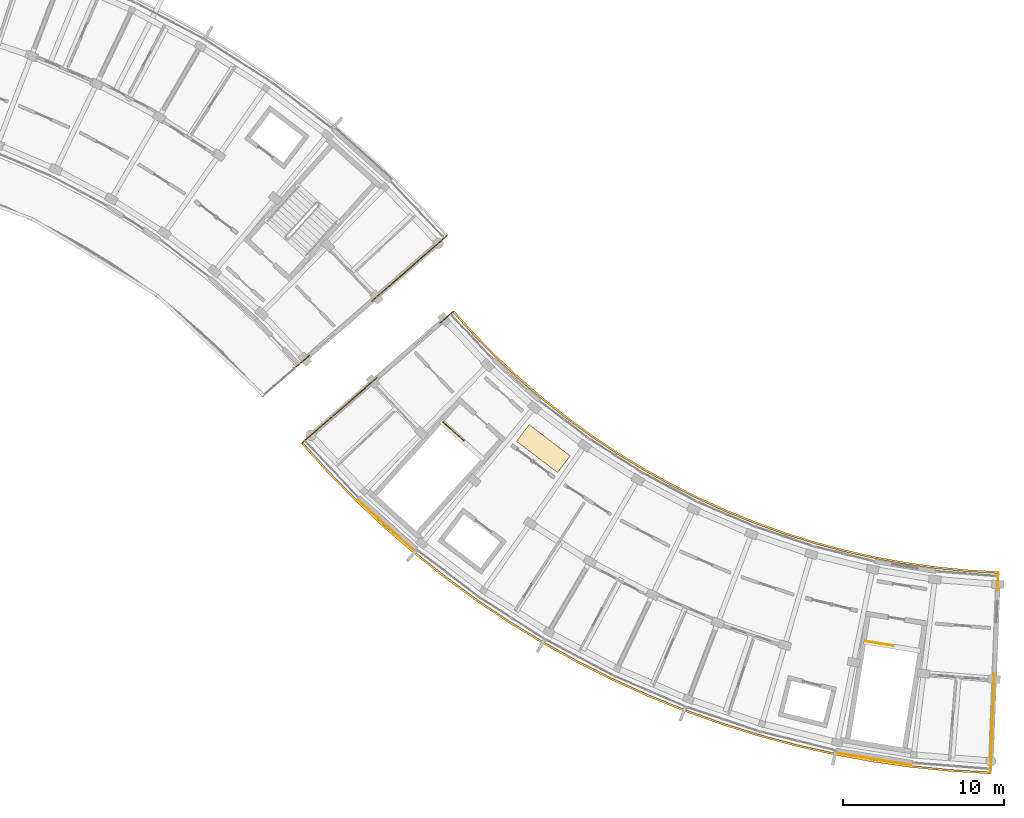
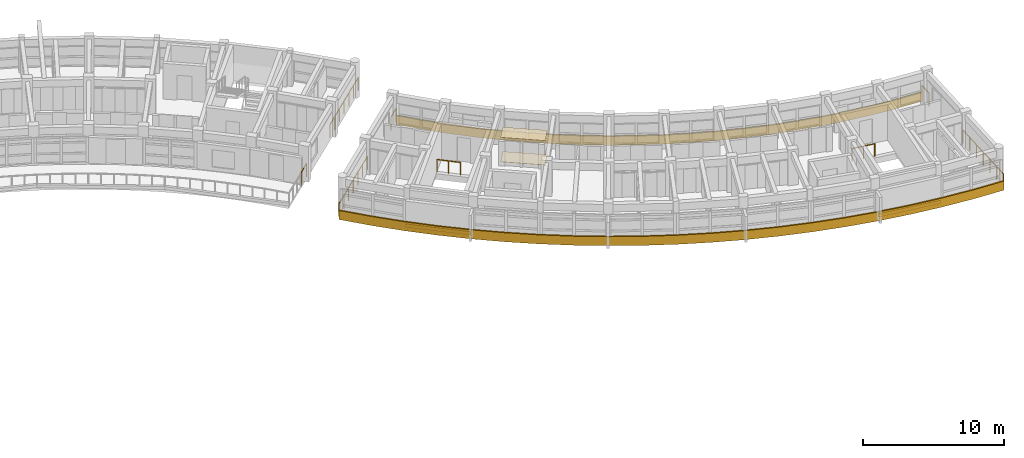
# One storey, part 35 of 38: 10 railings, 4 coverings.
"""IFC4 building model written with IfcOpenShell, lengths in metres."""

from ifc_helpers import new_model, si_unit, direction, frame, origin, origin_2d, place, context, subcontext, project, spatial, polyline, rectangle, circle, outline, extrude, material, layer, layer_set, type_object, element, save


model = new_model("IFC4")

# Units and contexts
model_context = context("Model", 3, precision=1e-05, world=origin(), true_north=direction((0.0, 1.0)))
body_context = subcontext(model_context, "Body", "Model", "MODEL_VIEW")
ifc_project = project(units=[si_unit("LENGTHUNIT", "METRE"), si_unit("AREAUNIT", "SQUARE_METRE"), si_unit("VOLUMEUNIT", "CUBIC_METRE"), si_unit("PLANEANGLEUNIT", "RADIAN"), si_unit("MASSUNIT", "GRAM", prefix="KILO")], contexts=[model_context])

# Site, building, storey
site_placement = place(None, origin())
site = spatial("IfcSite", under=ifc_project, at=site_placement, CompositionType="ELEMENT")
building_placement = place(site_placement, origin())
building = spatial("IfcBuilding", under=site, at=building_placement, Name="Zimvara Arc Housing Community", CompositionType="ELEMENT")
storey_placement = place(building_placement, frame((0.0, 0.0, 29.800048828125)))
storey = spatial("IfcBuildingStorey", under=building, at=storey_placement, Name="L09", CompositionType="ELEMENT", Elevation=29.800048828125)

# Coverings
ifc_material_1 = material(Name="Pale-Gold Anodised Aluminium Cladding", Category="aluminium")
ifc_layer_1 = layer(ifc_material_1, 0.0400390625)
ifc_layer_set_1 = layer_set([ifc_layer_1], Name="Pale-Gold Anodised Aluminium Cladding")
covering_type_1 = type_object("IfcCoveringType", Name="CLD-GOLD-01", PredefinedType="CLADDING", material=ifc_layer_set_1)
covering_1_placement = place(storey_placement, frame((116.44873046875, 51.142578125, 0.009765625), z_axis=(0.0, 0.0, 1.0), x_axis=(0.987080395872, -0.160225753504, 0.0)))
element("IfcCovering", 1, at=covering_1_placement, inside=storey, type_object=covering_type_1, Name="cld:blkC:L09:out:b8", PredefinedType="CLADDING", context=body_context, shape_type="SweptSolid", body=[
    extrude(rectangle(XDim=4.748779296875, YDim=0.0400390625, at=origin_2d()), origin(), (0.0, 0.0, 1.0), 0.300048828125),
])
ifc_material_2 = material(Name="Pale-Gold Anodised Aluminium Cladding", Category="aluminium")
ifc_layer_2 = layer(ifc_material_2, 0.044921875)
ifc_layer_set_2 = layer_set([ifc_layer_2], Name="Pale-Gold Anodised Aluminium Cladding")
covering_type_2 = type_object("IfcCoveringType", Name="CLD-GOLD-02", PredefinedType="CLADDING", material=ifc_layer_set_2)
covering_2_placement = place(storey_placement, frame((86.18896484375, 65.636474609375, 0.009765625), z_axis=(0.0, 0.0, 1.0), x_axis=(0.74337718344, -0.668872456557, 0.0)))
element("IfcCovering", 2, at=covering_2_placement, inside=storey, type_object=covering_type_2, Name="cld:blkC:L09:out:b1", PredefinedType="CLADDING", context=body_context, shape_type="SweptSolid", body=[
    extrude(rectangle(XDim=4.748779296875, YDim=0.044921875, at=origin_2d()), origin(), (0.0, 0.0, 1.0), 0.300048828125),
])
ifc_material_3 = material(Name="Perforated Acoustic Ceiling Board")
ifc_layer_3 = layer(ifc_material_3, 0.02197265625)
ifc_layer_set_3 = layer_set([ifc_layer_3], Name="Perforated Acoustic Ceiling Board")
covering_type_3 = type_object("IfcCoveringType", Name="COV-CEIL-02", PredefinedType="CEILING", material=ifc_layer_set_3)
covering_3_placement = place(storey_placement, frame((95.954833984375, 70.40087890625, 2.117919921875), z_axis=(0.0, 0.0, 1.0), x_axis=(-0.605988400266, -0.795473480855, 0.0)))
element("IfcCovering", 3, at=covering_3_placement, inside=storey, type_object=covering_type_3, Name="ceil:blkC:L09", PredefinedType="CEILING", context=body_context, shape_type="SweptSolid", body=[
    extrude(rectangle(XDim=1.300048828125, YDim=3.199951171875, at=origin_2d()), origin(), (0.0, 0.0, 1.0), 0.02197265625),
])
ifc_material_4 = material(Name="Polished Coastal Sand Terrazzo")
ifc_layer_4 = layer(ifc_material_4, 0.02392578125)
ifc_layer_set_4 = layer_set([ifc_layer_4], Name="Polished Coastal Sand Terrazzo")
covering_type_4 = type_object("IfcCoveringType", Name="COV-FLOR-02", PredefinedType="FLOORING", material=ifc_layer_set_4)
covering_4_placement = place(storey_placement, frame((95.954833984375, 70.40087890625, 0.0), z_axis=(0.0, 0.0, 1.0), x_axis=(-0.605988400266, -0.795473480855, 0.0)))
element("IfcCovering", 4, at=covering_4_placement, inside=storey, type_object=covering_type_4, Name="flor:blkC:L09", PredefinedType="FLOORING", context=body_context, shape_type="SweptSolid", body=[
    extrude(rectangle(XDim=1.300048828125, YDim=3.199951171875, at=origin_2d()), origin(), (0.0, 0.0, 1.0), 0.02392578125),
])

# Railings
ifc_material_5 = material(Name="Anodised Aluminium AW-6063", Category="aluminium")
railing_type_1 = type_object("IfcRailingType", Name="RLG-BAL-1120", PredefinedType="BALUSTRADE", material=ifc_material_5)
railing_1_placement = place(storey_placement, frame((89.745361328125, 72.041015625, 0.0)))
element("IfcRailing", 5, at=railing_1_placement, inside=storey, type_object=railing_type_1, Name="L09 ST-C1 top well guard 1", PredefinedType="BALUSTRADE", context=body_context, shape_type="SweptSolid", body=[
    extrude(circle(Radius=0.02392578125, at=origin_2d()), frame((0.0, 0.0, 1.09619140625), z_axis=(0.743449390856, -0.668792197349, 0.0), x_axis=(0.668792197349, 0.743449390856, 0.0)), (0.0, 0.0, 1.0), 1.72021484375),
    extrude(circle(Radius=0.02099609375, at=origin_2d()), origin(), (0.0, 0.0, 1.0), 1.072021484375),
    extrude(circle(Radius=0.02099609375, at=origin_2d()), frame((0.639404296875, -0.5751953125, 0.0)), (0.0, 0.0, 1.0), 1.072021484375),
    extrude(circle(Radius=0.02099609375, at=origin_2d()), frame((1.27880859375, -1.150390625, 0.0)), (0.0, 0.0, 1.0), 1.072021484375),
])
railing_2_placement = place(storey_placement, frame((115.973388671875, 58.44921875, 0.0)))
element("IfcRailing", 6, at=railing_2_placement, inside=storey, type_object=railing_type_1, Name="L09 ST-C2 top well guard 1", PredefinedType="BALUSTRADE", context=body_context, shape_type="SweptSolid", body=[
    extrude(circle(Radius=0.02392578125, at=origin_2d()), frame((0.0, 0.0, 1.09619140625), z_axis=(0.987075758678, -0.1602543186, 0.0), x_axis=(0.1602543186, 0.987075758678, 0.0)), (0.0, 0.0, 1.0), 1.719970703125),
    extrude(circle(Radius=0.02099609375, at=origin_2d()), origin(), (0.0, 0.0, 1.0), 1.072021484375),
    extrude(circle(Radius=0.02099609375, at=origin_2d()), frame((0.848876953125, -0.1376953125, 0.0)), (0.0, 0.0, 1.0), 1.072021484375),
    extrude(circle(Radius=0.02099609375, at=origin_2d()), frame((1.69775390625, -0.275634765625, 0.0)), (0.0, 0.0, 1.0), 1.072021484375),
])
ifc_material_6 = material(Name="Anodised Aluminium AW-6063", Category="aluminium")
railing_type_2 = type_object("IfcRailingType", Name="RLG-BAL-1150", PredefinedType="BALUSTRADE", material=ifc_material_6)
railing_3_placement = place(storey_placement, frame((80.622314453125, 75.466064453125, 0.0)))
element("IfcRailing", 7, at=railing_3_placement, inside=storey, type_object=railing_type_2, Name="rlg:blkB:L09:gable_in:gN", PredefinedType="BALUSTRADE", context=body_context, shape_type="SweptSolid", body=[
    extrude(circle(Radius=0.02392578125, at=origin_2d()), frame((0.0, 0.0, 1.1259765625), z_axis=(0.75477095777, 0.655988415528, 0.0), x_axis=(-0.655988415528, 0.75477095777, 0.0)), (0.0, 0.0, 1.0), 1.080078125),
    extrude(circle(Radius=0.02099609375, at=origin_2d()), origin(), (0.0, 0.0, 1.0), 1.101806640625),
    extrude(circle(Radius=0.02099609375, at=origin_2d()), frame((0.815185546875, 0.70849609375, 0.0)), (0.0, 0.0, 1.0), 1.101806640625),
])
railing_4_placement = place(storey_placement, frame((85.331787109375, 79.559814453125, 0.0)))
element("IfcRailing", 8, at=railing_4_placement, inside=storey, type_object=railing_type_2, Name="rlg:blkB:L09:gable_out:gN", PredefinedType="BALUSTRADE", context=body_context, shape_type="SweptSolid", body=[
    extrude(circle(Radius=0.02392578125, at=origin_2d()), frame((0.0, 0.0, 1.1259765625), z_axis=(0.754708757217, 0.656059975749, 0.0), x_axis=(-0.656059975749, 0.754708757217, 0.0)), (0.0, 0.0, 1.0), 6.159912109375),
    extrude(circle(Radius=0.02099609375, at=origin_2d()), origin(), (0.0, 0.0, 1.0), 1.101806640625),
    extrude(circle(Radius=0.02099609375, at=origin_2d()), frame((0.77490234375, 0.673583984375, 0.0)), (0.0, 0.0, 1.0), 1.101806640625),
    extrude(circle(Radius=0.02099609375, at=origin_2d()), frame((1.549560546875, 1.34716796875, 0.0)), (0.0, 0.0, 1.0), 1.101806640625),
    extrude(circle(Radius=0.02099609375, at=origin_2d()), frame((2.324462890625, 2.0205078125, 0.0)), (0.0, 0.0, 1.0), 1.101806640625),
    extrude(circle(Radius=0.02099609375, at=origin_2d()), frame((3.099365234375, 2.694091796875, 0.0)), (0.0, 0.0, 1.0), 1.101806640625),
    extrude(circle(Radius=0.02099609375, at=origin_2d()), frame((3.8740234375, 3.36767578125, 0.0)), (0.0, 0.0, 1.0), 1.101806640625),
    extrude(circle(Radius=0.02099609375, at=origin_2d()), frame((4.64892578125, 4.041259765625, 0.0)), (0.0, 0.0, 1.0), 1.101806640625),
])
railing_5_placement = place(storey_placement, frame((90.357666015625, 78.89404296875, 0.0)))
element("IfcRailing", 9, at=railing_5_placement, inside=storey, type_object=railing_type_2, Name="rlg:blkC:L09:gable_in:g0", PredefinedType="BALUSTRADE", context=body_context, shape_type="SweptSolid", body=[
    extrude(circle(Radius=0.02392578125, at=origin_2d()), frame((0.0, 0.0, 1.1259765625), z_axis=(-0.754673660142, -0.656100348032, 0.0), x_axis=(0.656100348032, -0.754673660142, 0.0)), (0.0, 0.0, 1.0), 1.079833984375),
    extrude(circle(Radius=0.02099609375, at=origin_2d()), origin(), (0.0, 0.0, 1.0), 1.101806640625),
    extrude(circle(Radius=0.02099609375, at=origin_2d()), frame((-0.81494140625, -0.70849609375, 0.0)), (0.0, 0.0, 1.0), 1.101806640625),
])
railing_6_placement = place(storey_placement, frame((85.6484375, 74.80029296875, 0.0)))
element("IfcRailing", 10, at=railing_6_placement, inside=storey, type_object=railing_type_2, Name="rlg:blkC:L09:gable_out:g0", PredefinedType="BALUSTRADE", context=body_context, shape_type="SweptSolid", body=[
    extrude(circle(Radius=0.02392578125, at=origin_2d()), frame((0.0, 0.0, 1.1259765625), z_axis=(-0.754706192268, -0.656062926367, 0.0), x_axis=(0.656062926367, -0.754706192268, 0.0)), (0.0, 0.0, 1.0), 6.16015625),
    extrude(circle(Radius=0.02099609375, at=origin_2d()), origin(), (0.0, 0.0, 1.0), 1.101806640625),
    extrude(circle(Radius=0.02099609375, at=origin_2d()), frame((-0.77490234375, -0.673583984375, 0.0)), (0.0, 0.0, 1.0), 1.101806640625),
    extrude(circle(Radius=0.02099609375, at=origin_2d()), frame((-1.5498046875, -1.34716796875, 0.0)), (0.0, 0.0, 1.0), 1.101806640625),
    extrude(circle(Radius=0.02099609375, at=origin_2d()), frame((-2.32470703125, -2.020751953125, 0.0)), (0.0, 0.0, 1.0), 1.101806640625),
    extrude(circle(Radius=0.02099609375, at=origin_2d()), frame((-3.099365234375, -2.6943359375, 0.0)), (0.0, 0.0, 1.0), 1.101806640625),
    extrude(circle(Radius=0.02099609375, at=origin_2d()), frame((-3.874267578125, -3.367919921875, 0.0)), (0.0, 0.0, 1.0), 1.101806640625),
    extrude(circle(Radius=0.02099609375, at=origin_2d()), frame((-4.649169921875, -4.04150390625, 0.0)), (0.0, 0.0, 1.0), 1.101806640625),
])
railing_7_placement = place(storey_placement, frame((124.168212890625, 62.69482421875, 0.0)))
element("IfcRailing", 11, at=railing_7_placement, inside=storey, type_object=railing_type_2, Name="rlg:blkC:L09:gable_in:gN", PredefinedType="BALUSTRADE", context=body_context, shape_type="SweptSolid", body=[
    extrude(circle(Radius=0.02392578125, at=origin_2d()), frame((0.0, 0.0, 1.1259765625), z_axis=(-0.038424441628, -0.999261508458, 0.0), x_axis=(0.999261508458, -0.038424441628, 0.0)), (0.0, 0.0, 1.0), 1.080078125),
    extrude(circle(Radius=0.02099609375, at=origin_2d()), origin(), (0.0, 0.0, 1.0), 1.101806640625),
    extrude(circle(Radius=0.02099609375, at=origin_2d()), frame((-0.04150390625, -1.079345703125, 0.0)), (0.0, 0.0, 1.0), 1.101806640625),
])
railing_8_placement = place(storey_placement, frame((123.928466796875, 56.45947265625, 0.0)))
element("IfcRailing", 12, at=railing_8_placement, inside=storey, type_object=railing_type_2, Name="rlg:blkC:L09:gable_out:gN", PredefinedType="BALUSTRADE", context=body_context, shape_type="SweptSolid", body=[
    extrude(circle(Radius=0.02392578125, at=origin_2d()), frame((0.0, 0.0, 1.1259765625), z_axis=(-0.038364627964, -0.99926380667, 0.0), x_axis=(0.99926380667, -0.038364627964, 0.0)), (0.0, 0.0, 1.0), 6.16015625),
    extrude(circle(Radius=0.02099609375, at=origin_2d()), origin(), (0.0, 0.0, 1.0), 1.101806640625),
    extrude(circle(Radius=0.02099609375, at=origin_2d()), frame((-0.039306640625, -1.02587890625, 0.0)), (0.0, 0.0, 1.0), 1.101806640625),
    extrude(circle(Radius=0.02099609375, at=origin_2d()), frame((-0.078857421875, -2.0517578125, 0.0)), (0.0, 0.0, 1.0), 1.101806640625),
    extrude(circle(Radius=0.02099609375, at=origin_2d()), frame((-0.1181640625, -3.07763671875, 0.0)), (0.0, 0.0, 1.0), 1.101806640625),
    extrude(circle(Radius=0.02099609375, at=origin_2d()), frame((-0.157470703125, -4.103759765625, 0.0)), (0.0, 0.0, 1.0), 1.101806640625),
    extrude(circle(Radius=0.02099609375, at=origin_2d()), frame((-0.197021484375, -5.129638671875, 0.0)), (0.0, 0.0, 1.0), 1.101806640625),
    extrude(circle(Radius=0.02099609375, at=origin_2d()), frame((-0.236328125, -6.155517578125, 0.0)), (0.0, 0.0, 1.0), 1.101806640625),
])
ifc_material_7 = material(Name="Pale-Gold Anodised Aluminium AW-6063", Category="aluminium")
railing_type_3 = type_object("IfcRailingType", Name="RLG-FAS-780", PredefinedType="BALUSTRADE", material=ifc_material_7)
railing_9_placement = place(storey_placement, frame((0.0, 0.0, -0.219970703125)))
element("IfcRailing", 13, at=railing_9_placement, inside=storey, type_object=railing_type_3, Name="rlg:blkC:L09:gold_out", PredefinedType="BALUSTRADE", context=body_context, shape_type="SweptSolid", body=[
    extrude(outline(polyline([(80.93896484375, 70.706298828125), (82.5751953125, 68.900146484375), (84.28369140625, 67.162109375), (86.061767578125, 65.4951171875), (87.906494140625, 63.90234375), (89.814697265625, 62.38623046875), (91.783203125, 60.94921875), (93.80859375, 59.59375), (95.8876953125, 58.322021484375), (98.01708984375, 57.136474609375), (100.193115234375, 56.03857421875), (102.412109375, 55.03076171875), (104.67041015625, 54.114013671875), (106.96435546875, 53.29052734375), (109.289794921875, 52.561279296875), (111.643310546875, 51.927734375), (114.0205078125, 51.390625), (116.417724609375, 50.950927734375), (118.830810546875, 50.60986328125), (121.256103515625, 50.3671875), (123.68896484375, 50.223876953125), (123.693603515625, 50.343994140625), (121.265625, 50.48681640625), (118.84521484375, 50.728759765625), (116.43701171875, 51.069580078125), (114.04443359375, 51.508056640625), (111.672119140625, 52.044189453125), (109.3232421875, 52.676513671875), (107.00244140625, 53.404296875), (104.71337890625, 54.226318359375), (102.45947265625, 55.140869140625), (100.244873046875, 56.14697265625), (98.0732421875, 57.242431640625), (95.9482421875, 58.42578125), (93.873291015625, 59.69482421875), (91.851806640625, 61.04736328125), (89.887451171875, 62.481689453125), (87.98291015625, 63.99462890625), (86.14208984375, 65.58447265625), (84.367431640625, 67.247802734375), (82.662353515625, 68.982421875), (81.029541015625, 70.78515625), (80.93896484375, 70.706298828125)])), origin(), (0.0, 0.0, 1.0), 0.780029296875),
])
railing_10_placement = place(storey_placement, frame((0.0, 0.0, -0.219970703125)))
element("IfcRailing", 14, at=railing_10_placement, inside=storey, type_object=railing_type_3, Name="rlg:blkC:L09:gold_in", PredefinedType="BALUSTRADE", context=body_context, shape_type="SweptSolid", body=[
    extrude(outline(polyline([(90.32763671875, 78.86767578125), (91.62255859375, 77.43798828125), (92.97509765625, 76.062255859375), (94.382568359375, 74.742919921875), (95.8427734375, 73.48193359375), (97.35302734375, 72.28173828125), (98.911376953125, 71.144287109375), (100.5146484375, 70.071533203125), (102.160400390625, 69.06494140625), (103.845947265625, 68.12646484375), (105.568359375, 67.25732421875), (107.32470703125, 66.45947265625), (109.1123046875, 65.734130859375), (110.927978515625, 65.082275390625), (112.768798828125, 64.5048828125), (114.631591796875, 64.00341796875), (116.513427734375, 63.578125), (118.410888671875, 63.230224609375), (120.321044921875, 62.960205078125), (122.24072265625, 62.768310546875), (124.16650390625, 62.65478515625), (124.171142578125, 62.774658203125), (122.250244140625, 62.887939453125), (120.33544921875, 63.079345703125), (118.43017578125, 63.348876953125), (116.537353515625, 63.69580078125), (114.660400390625, 64.119873046875), (112.80224609375, 64.6201171875), (110.96630859375, 65.19580078125), (109.155029296875, 65.84619140625), (107.3720703125, 66.56982421875), (105.6201171875, 67.36572265625), (103.902099609375, 68.232421875), (102.220947265625, 69.16845703125), (100.579345703125, 70.172607421875), (98.97998046875, 71.24267578125), (97.42578125, 72.377197265625), (95.919189453125, 73.574462890625), (94.462890625, 74.83203125), (93.058837890625, 76.14794921875), (91.7099609375, 77.520263671875), (90.41796875, 78.946533203125), (90.32763671875, 78.86767578125)])), origin(), (0.0, 0.0, 1.0), 0.780029296875),
])

save(model, "model.ifc")
